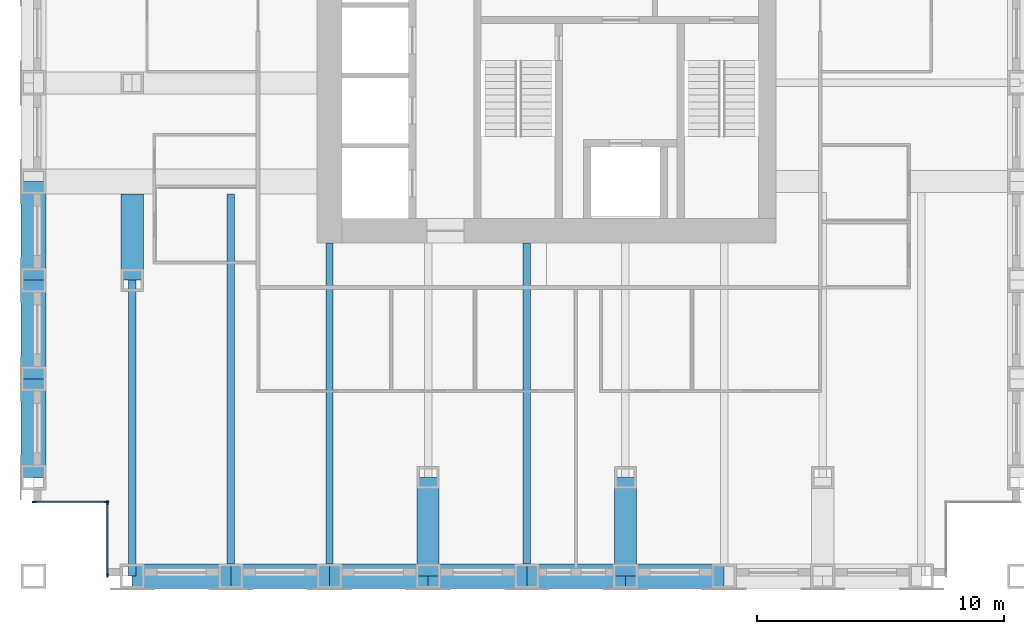
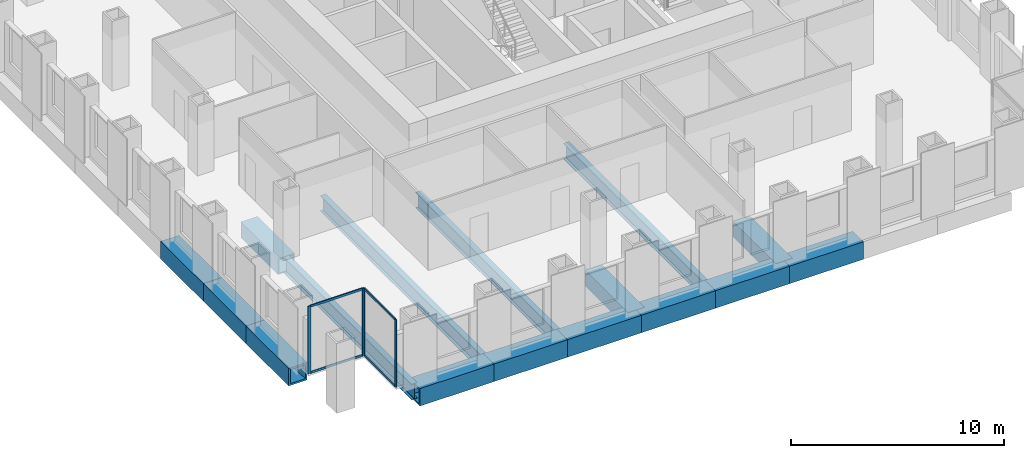
# One storey, part 2 of 12: 16 beams, 8 members, 2 elements without a shape of their own.
"""IFC4 building model written with IfcOpenShell, lengths in metres."""

from ifc_helpers import new_model, si_unit, direction, frame, origin, origin_2d, place, context, subcontext, project, spatial, rectangle, hollow_rectangle, i_section, extrude, material, material_profile, profile_set, type_object, element, aggregate, save


model = new_model("IFC4")

# Units and contexts
model_context = context("Model", 3, precision=1e-05, world=origin(), true_north=direction((0.0, 1.0)))
body_context = subcontext(model_context, "Body", "Model", "MODEL_VIEW")
ifc_project = project(units=[si_unit("LENGTHUNIT", "METRE"), si_unit("AREAUNIT", "SQUARE_METRE"), si_unit("VOLUMEUNIT", "CUBIC_METRE"), si_unit("PLANEANGLEUNIT", "RADIAN"), si_unit("MASSUNIT", "GRAM", prefix="KILO")], contexts=[model_context])

# Site, building, storey
site_placement = place(None, origin())
site = spatial("IfcSite", under=ifc_project, at=site_placement, CompositionType="ELEMENT")
building_placement = place(site_placement, origin())
building = spatial("IfcBuilding", under=site, at=building_placement, Name="Rimbunsela Tower", CompositionType="ELEMENT")
storey_placement = place(building_placement, frame((0.0, 0.0, 155.800048828125)))
storey = spatial("IfcBuildingStorey", under=building, at=storey_placement, Name="L37", CompositionType="ELEMENT", Elevation=155.800048828125)

# Beams
ifc_material_1 = material(Name="Steel BJ 55 (fy 410 MPa)", Category="steel")
ifc_material_profile_1 = material_profile(ifc_material_1, hollow_rectangle(XDim=1.0, YDim=1.0, WallThickness=0.10009765625, at=origin_2d()), Name="BOX 1000x1000x100")
ifc_profile_set_1 = profile_set([ifc_material_profile_1], Name="Steel BJ 55 (fy 410 MPa)")
beam_type_1 = type_object("IfcBeamType", Name="Beam BOX 1000x1000x100", PredefinedType="BEAM", material=ifc_profile_set_1)
for number, where, z_axis, x_axis, name in (
    (1, (6.0, 8.0, -0.650146484375), (0.0, 1.0, 0.0), (-1.0, 0.0, 0.0), "Beam B3 L37"),
    (2, (6.0, 12.0, -0.650146484375), (0.0, 1.0, 0.0), (-1.0, 0.0, 0.0), "Beam B3 L37"),
    (3, (6.0, 16.0, -0.650146484375), (0.0, 1.0, 0.0), (-1.0, 0.0, 0.0), "Beam B3 L37"),
    (4, (10.0, 4.0, -0.650146484375), (1.0, 0.0, 0.0), (0.0, 1.0, 0.0), "Beam B3 L37"),
    (5, (14.0, 4.0, -0.650146484375), (1.0, 0.0, 0.0), (0.0, 1.0, 0.0), "Beam B3 L37"),
    (6, (18.0, 4.0, -0.650146484375), (1.0, 0.0, 0.0), (0.0, 1.0, 0.0), "Beam B3 L37"),
    (7, (22.0, 4.0, -0.650146484375), (1.0, 0.0, 0.0), (0.0, 1.0, 0.0), "Beam B3 L37"),
    (8, (26.0, 4.0, -0.650146484375), (1.0, 0.0, 0.0), (0.0, 1.0, 0.0), "Beam B3 L37"),
    (9, (30.0, 4.0, -0.650146484375), (1.0, 0.0, 0.0), (0.0, 1.0, 0.0), "Beam B3 L37"),
):
    element("IfcBeam", number, at=place(storey_placement, frame(where, z_axis=z_axis, x_axis=x_axis)), inside=storey, type_object=beam_type_1, Name=name, PredefinedType="BEAM", context=body_context, shape_type="SweptSolid", body=[
        extrude(hollow_rectangle(XDim=1.0, YDim=1.0, WallThickness=0.10009765625, at=origin_2d()), origin(), (0.0, 0.0, 1.0), 4.0),
    ])
ifc_material_2 = material(Name="Steel BJ 55 (fy 410 MPa)", Category="steel")
ifc_material_profile_2 = material_profile(ifc_material_2, hollow_rectangle(XDim=0.89990234375, YDim=0.89990234375, WallThickness=0.06005859375, at=origin_2d()), Name="BOX 900x900x60")
ifc_profile_set_2 = profile_set([ifc_material_profile_2], Name="Steel BJ 55 (fy 410 MPa)")
beam_type_2 = type_object("IfcBeamType", Name="Beam BOX 900x900x60", PredefinedType="BEAM", material=ifc_profile_set_2)
beam_1_placement = place(storey_placement, frame((10.0, 16.0, -0.60009765625), z_axis=(0.0, 1.0, 0.0), x_axis=(-1.0, 0.0, 0.0)))
element("IfcBeam", 10, at=beam_1_placement, inside=storey, type_object=beam_type_2, Name="Beam B1 L37", PredefinedType="BEAM", context=body_context, shape_type="SweptSolid", body=[
    extrude(hollow_rectangle(XDim=0.89990234375, YDim=0.89990234375, WallThickness=0.06005859375, at=origin_2d()), origin(), (0.0, 0.0, 1.0), 3.5),
])
for number, where, z_axis, x_axis, name in (
    (11, (22.0, 4.0, -0.60009765625), (0.0, 1.0, 0.0), (-1.0, 0.0, 0.0), "Beam B1 L37"),
    (12, (30.0, 4.0, -0.60009765625), (0.0, 1.0, 0.0), (-1.0, 0.0, 0.0), "Beam B1 L37"),
):
    element("IfcBeam", number, at=place(storey_placement, frame(where, z_axis=z_axis, x_axis=x_axis)), inside=storey, type_object=beam_type_2, Name=name, PredefinedType="BEAM", context=body_context, shape_type="SweptSolid", body=[
        extrude(hollow_rectangle(XDim=0.89990234375, YDim=0.89990234375, WallThickness=0.06005859375, at=origin_2d()), origin(), (0.0, 0.0, 1.0), 4.0),
    ])
ifc_material_3 = material(Name="Steel BJ 55 (fy 410 MPa)", Category="steel")
ifc_material_profile_3 = material_profile(ifc_material_3, i_section(OverallWidth=0.300048828125, OverallDepth=0.89990234375, WebThickness=0.01611328125, FlangeThickness=0.028076171875, FilletRadius=0.028076171875, at=origin_2d()), Name="H 900x300x16x28")
ifc_profile_set_3 = profile_set([ifc_material_profile_3], Name="Steel BJ 55 (fy 410 MPa)")
beam_type_3 = type_object("IfcBeamType", Name="Beam H 900x300x16x28", PredefinedType="BEAM", material=ifc_profile_set_3)
beam_2_placement = place(storey_placement, frame((10.0, 4.0, -0.60009765625), z_axis=(0.0, 1.0, 0.0), x_axis=(-1.0, 0.0, 0.0)))
element("IfcBeam", 13, at=beam_2_placement, inside=storey, type_object=beam_type_3, Name="Beam B2 L37", PredefinedType="BEAM", context=body_context, shape_type="SweptSolid", body=[
    extrude(i_section(OverallWidth=0.300048828125, OverallDepth=0.89990234375, WebThickness=0.01611328125, FlangeThickness=0.028076171875, FilletRadius=0.028076171875, at=origin_2d()), origin(), (0.0, 0.0, 1.0), 12.0),
])
beam_3_placement = place(storey_placement, frame((14.0, 4.0, -0.60009765625), z_axis=(0.0, 1.0, 0.0), x_axis=(-1.0, 0.0, 0.0)))
element("IfcBeam", 14, at=beam_3_placement, inside=storey, type_object=beam_type_3, Name="Beam B2 L37", PredefinedType="BEAM", context=body_context, shape_type="SweptSolid", body=[
    extrude(i_section(OverallWidth=0.300048828125, OverallDepth=0.89990234375, WebThickness=0.01611328125, FlangeThickness=0.028076171875, FilletRadius=0.028076171875, at=origin_2d()), origin(), (0.0, 0.0, 1.0), 15.5),
])
for number, where, z_axis, x_axis, name in (
    (15, (18.0, 4.0, -0.60009765625), (0.0, 1.0, 0.0), (-1.0, 0.0, 0.0), "Beam B2 L37"),
    (16, (26.0, 4.0, -0.60009765625), (0.0, 1.0, 0.0), (-1.0, 0.0, 0.0), "Beam B2 L37"),
):
    element("IfcBeam", number, at=place(storey_placement, frame(where, z_axis=z_axis, x_axis=x_axis)), inside=storey, type_object=beam_type_3, Name=name, PredefinedType="BEAM", context=body_context, shape_type="SweptSolid", body=[
        extrude(i_section(OverallWidth=0.300048828125, OverallDepth=0.89990234375, WebThickness=0.01611328125, FlangeThickness=0.028076171875, FilletRadius=0.028076171875, at=origin_2d()), origin(), (0.0, 0.0, 1.0), 13.5),
    ])

# Curtain wall, members
ifc_material_4 = material(Name="Aluminium curtain wall", Category="aluminium")
curtain_wall_type = type_object("IfcCurtainWallType", Name="Corner glazing", PredefinedType="USERDEFINED", material=ifc_material_4)
curtain_wall_1_placement = place(storey_placement, origin())
curtain_wall_1 = element("IfcCurtainWall", 17, at=curtain_wall_1_placement, inside=storey, type_object=curtain_wall_type, Name="Corner glazing L37", ObjectType="CORNER GLAZING", PredefinedType="USERDEFINED")
ifc_material_5 = material(Name="Aluminium mullion", Category="aluminium")
ifc_material_profile_4 = material_profile(ifc_material_5, rectangle(XDim=0.06005859375, YDim=0.159912109375, at=origin_2d()), Name="Mullion 60x160")
ifc_profile_set_4 = profile_set([ifc_material_profile_4], Name="Aluminium mullion")
member_type_1 = type_object("IfcMemberType", Name="Curtain wall mullion 60x160", PredefinedType="MULLION", material=ifc_profile_set_4)
member_1_placement = place(storey_placement, frame((6.030029296875, 7.0, 0.0), z_axis=(0.0, 0.0, 1.0), x_axis=(0.0, 1.0, 0.0)))
member_1 = element("IfcMember", 18, at=member_1_placement, type_object=member_type_1, Name="CW5 mullion 1", PredefinedType="MULLION", context=body_context, shape_type="SweptSolid", body=[
    extrude(rectangle(XDim=0.06005859375, YDim=0.159912109375, at=origin_2d()), origin(), (0.0, 0.0, 1.0), 3.849853515625),
])
member_2_placement = place(storey_placement, frame((8.969970703125, 7.0, 0.0), z_axis=(0.0, 0.0, 1.0), x_axis=(0.0, 1.0, 0.0)))
member_2 = element("IfcMember", 19, at=member_2_placement, type_object=member_type_1, Name="CW5 mullion 2", PredefinedType="MULLION", context=body_context, shape_type="SweptSolid", body=[
    extrude(rectangle(XDim=0.06005859375, YDim=0.159912109375, at=origin_2d()), origin(), (0.0, 0.0, 1.0), 3.849853515625),
])

curtain_wall_2_placement = place(storey_placement, origin())
curtain_wall_2 = element("IfcCurtainWall", 20, at=curtain_wall_2_placement, inside=storey, type_object=curtain_wall_type, Name="Corner glazing L37", ObjectType="CORNER GLAZING", PredefinedType="USERDEFINED")
member_3_placement = place(storey_placement, frame((9.0, 6.969970703125, 0.0), z_axis=(0.0, 0.0, 1.0), x_axis=(1.0, 0.0, 0.0)))
member_3 = element("IfcMember", 21, at=member_3_placement, type_object=member_type_1, Name="CW5 mullion 1", PredefinedType="MULLION", context=body_context, shape_type="SweptSolid", body=[
    extrude(rectangle(XDim=0.06005859375, YDim=0.159912109375, at=origin_2d()), origin(), (0.0, 0.0, 1.0), 3.849853515625),
])
member_4_placement = place(storey_placement, frame((9.0, 4.030029296875, 0.0), z_axis=(0.0, 0.0, 1.0), x_axis=(1.0, 0.0, 0.0)))
member_4 = element("IfcMember", 22, at=member_4_placement, type_object=member_type_1, Name="CW5 mullion 2", PredefinedType="MULLION", context=body_context, shape_type="SweptSolid", body=[
    extrude(rectangle(XDim=0.06005859375, YDim=0.159912109375, at=origin_2d()), origin(), (0.0, 0.0, 1.0), 3.849853515625),
])

# Member
ifc_material_6 = material(Name="Aluminium transom", Category="aluminium")
ifc_material_profile_5 = material_profile(ifc_material_6, rectangle(XDim=0.06005859375, YDim=0.1201171875, at=origin_2d()), Name="Transom 60x120")
ifc_profile_set_5 = profile_set([ifc_material_profile_5], Name="Aluminium transom")
member_type_2 = type_object("IfcMemberType", Name="Curtain wall transom 60x120", PredefinedType="USERDEFINED", material=ifc_profile_set_5)
member_5_placement = place(storey_placement, frame((6.06005859375, 7.0, 0.030029296875), z_axis=(1.0, 0.0, 0.0), x_axis=(0.0, 1.0, 0.0)))
member_5 = element("IfcMember", 23, at=member_5_placement, type_object=member_type_2, Name="CW5 transom 1.1", ObjectType="TRANSOM", PredefinedType="USERDEFINED", context=body_context, shape_type="SweptSolid", body=[
    extrude(rectangle(XDim=0.06005859375, YDim=0.1201171875, at=origin_2d()), origin(), (0.0, 0.0, 1.0), 2.8798828125),
])

member_6_placement = place(storey_placement, frame((6.06005859375, 7.0, 3.820068359375), z_axis=(1.0, 0.0, 0.0), x_axis=(0.0, 1.0, 0.0)))
member_6 = element("IfcMember", 24, at=member_6_placement, type_object=member_type_2, Name="CW5 transom 1.2", ObjectType="TRANSOM", PredefinedType="USERDEFINED", context=body_context, shape_type="SweptSolid", body=[
    extrude(rectangle(XDim=0.06005859375, YDim=0.1201171875, at=origin_2d()), origin(), (0.0, 0.0, 1.0), 2.8798828125),
])

aggregate(curtain_wall_1, [member_1, member_2, member_5, member_6])

member_7_placement = place(storey_placement, frame((9.0, 6.93994140625, 0.030029296875), z_axis=(0.0, -1.0, 0.0), x_axis=(1.0, 0.0, 0.0)))
member_7 = element("IfcMember", 25, at=member_7_placement, type_object=member_type_2, Name="CW5 transom 1.1", ObjectType="TRANSOM", PredefinedType="USERDEFINED", context=body_context, shape_type="SweptSolid", body=[
    extrude(rectangle(XDim=0.06005859375, YDim=0.1201171875, at=origin_2d()), origin(), (0.0, 0.0, 1.0), 2.8798828125),
])

member_8_placement = place(storey_placement, frame((9.0, 6.93994140625, 3.820068359375), z_axis=(0.0, -1.0, 0.0), x_axis=(1.0, 0.0, 0.0)))
member_8 = element("IfcMember", 26, at=member_8_placement, type_object=member_type_2, Name="CW5 transom 1.2", ObjectType="TRANSOM", PredefinedType="USERDEFINED", context=body_context, shape_type="SweptSolid", body=[
    extrude(rectangle(XDim=0.06005859375, YDim=0.1201171875, at=origin_2d()), origin(), (0.0, 0.0, 1.0), 2.8798828125),
])

aggregate(curtain_wall_2, [member_3, member_4, member_7, member_8])

save(model, "model.ifc")
